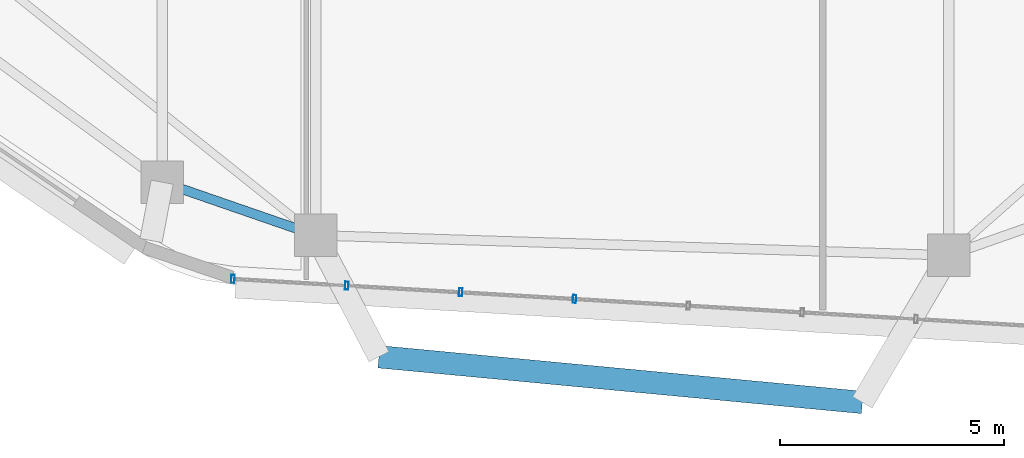
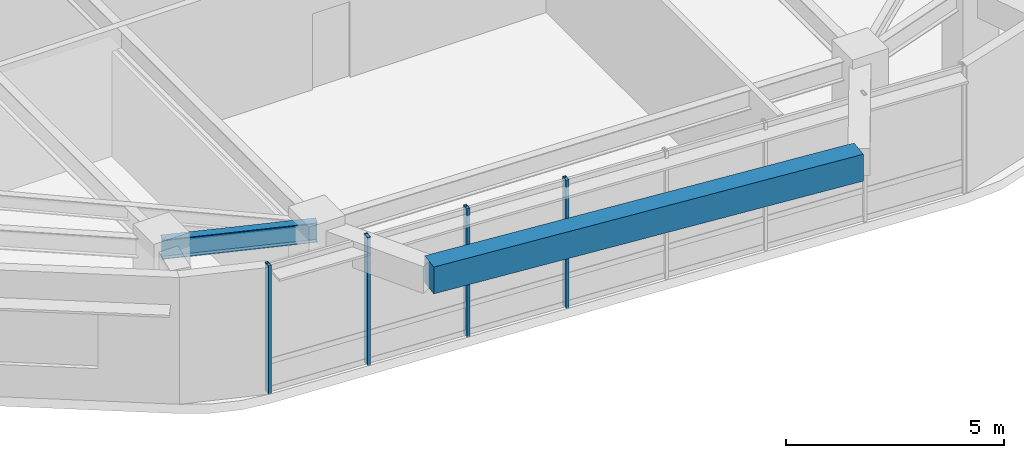
# One storey, part 2 of 14: 4 members, 2 beams, 1 element without a shape of its own.
"""IFC4 building model written with IfcOpenShell, lengths in metres."""

from ifc_helpers import new_model, si_unit, direction, frame, origin, origin_2d, place, context, subcontext, project, spatial, rectangle, hollow_rectangle, i_section, extrude, material, material_profile, profile_set, type_object, element, aggregate, save


model = new_model("IFC4")

# Units and contexts
model_context = context("Model", 3, precision=1e-05, world=origin(), true_north=direction((0.0, 1.0)))
body_context = subcontext(model_context, "Body", "Model", "MODEL_VIEW")
ifc_project = project(units=[si_unit("LENGTHUNIT", "METRE"), si_unit("AREAUNIT", "SQUARE_METRE"), si_unit("VOLUMEUNIT", "CUBIC_METRE"), si_unit("PLANEANGLEUNIT", "RADIAN"), si_unit("MASSUNIT", "GRAM", prefix="KILO")], contexts=[model_context])

# Site, building, storey
site_placement = place(None, origin())
site = spatial("IfcSite", under=ifc_project, at=site_placement, CompositionType="ELEMENT")
building_placement = place(site_placement, origin())
building = spatial("IfcBuilding", under=site, at=building_placement, Name="Zulverin Broadcast Headquarters", CompositionType="ELEMENT")
storey_placement = place(building_placement, frame((0.0, 0.0, 208.60009765625)))
storey = spatial("IfcBuildingStorey", under=building, at=storey_placement, Name="L53", CompositionType="ELEMENT", Elevation=208.60009765625)

# Beams
ifc_material_1 = material(Name="Concrete C40/50", Category="concrete")
ifc_material_profile_1 = material_profile(ifc_material_1, rectangle(XDim=0.5, YDim=0.75, at=origin_2d()), Name="Concrete C40/50", Category="concrete")
ifc_profile_set_1 = profile_set([ifc_material_profile_1], Name="Concrete C40/50")
beam_type_1 = type_object("IfcBeamType", Name="BM-RC-500x750", PredefinedType="BEAM", material=ifc_profile_set_1)
beam_1_placement = place(storey_placement, frame((32.21728515625, 1.4208984375, 3.164794921875), z_axis=(0.995570138294, -0.094021804589, 0.0), x_axis=(0.094021804589, 0.995570138294, 0.0)))
element("IfcBeam", 1, at=beam_1_placement, inside=storey, type_object=beam_type_1, Name="L54 Balcony Outer Edge Trimmer Beam BAL_S", PredefinedType="BEAM", context=body_context, shape_type="SweptSolid", body=[
    extrude(rectangle(XDim=0.5, YDim=0.75, at=origin_2d()), origin(), (0.0, 0.0, 1.0), 10.81494140625),
])
ifc_material_2 = material(Name="Structural steel S355JR", Category="steel")
ifc_material_profile_2 = material_profile(ifc_material_2, i_section(OverallWidth=0.2119140625, OverallDepth=0.54443359375, WebThickness=0.0126953125, FlangeThickness=0.021240234375, at=origin_2d()), Name="Structural steel S355JR", Category="steel")
ifc_profile_set_2 = profile_set([ifc_material_profile_2], Name="Structural steel S355JR")
beam_type_2 = type_object("IfcBeamType", Name="BM-UB-533", PredefinedType="SPANDREL", material=ifc_profile_set_2)
beam_2_placement = place(storey_placement, frame((27.38720703125, 5.309814453125, 3.267578125), z_axis=(0.945152732867, -0.326628705956, 0.0), x_axis=(0.326628705956, 0.945152732867, 0.0)))
element("IfcBeam", 2, at=beam_2_placement, inside=storey, type_object=beam_type_2, Name="L53 Perimeter Spandrel Beam SP-16", PredefinedType="SPANDREL", context=body_context, shape_type="SweptSolid", body=[
    extrude(i_section(OverallWidth=0.2119140625, OverallDepth=0.54443359375, WebThickness=0.0126953125, FlangeThickness=0.021240234375, at=origin_2d()), origin(), (0.0, 0.0, 1.0), 3.619873046875),
])

# Curtain wall, members
ifc_material_3 = material(Name="Waist wind-pressure unitised curtain wall", Category="aluminium")
curtain_wall_type = type_object("IfcCurtainWallType", Name="CW-TWR-WST", PredefinedType="USERDEFINED", material=ifc_material_3)
curtain_wall_placement = place(storey_placement, origin())
curtain_wall = element("IfcCurtainWall", 3, at=curtain_wall_placement, inside=storey, type_object=curtain_wall_type, Name="L53 Unitised Curtain Wall CW-L53-E1", ObjectType="UNITISED CURTAIN WALL", PredefinedType="USERDEFINED")
ifc_material_4 = material(Name="Anodized pale-metal aluminium alloy 6063-T6", Category="aluminium")
ifc_material_profile_3 = material_profile(ifc_material_4, hollow_rectangle(XDim=0.074951171875, YDim=0.179931640625, WallThickness=0.0048828125, at=origin_2d()), Name="Anodized pale-metal aluminium alloy 6063-T6", Category="aluminium")
ifc_profile_set_3 = profile_set([ifc_material_profile_3], Name="Anodized pale-metal aluminium alloy 6063-T6")
member_type = type_object("IfcMemberType", Name="CW-MUL-180", PredefinedType="MULLION", material=ifc_profile_set_3)
member_1_placement = place(storey_placement, frame((28.96435546875, 3.155029296875, -0.030029296875), z_axis=(0.0, 0.0, 1.0), x_axis=(0.998274435348, -0.058720965002, 0.0)))
member_1 = element("IfcMember", 4, at=member_1_placement, type_object=member_type, Name="CW-L53-E1 Mullion 00", PredefinedType="MULLION", context=body_context, shape_type="SweptSolid", body=[
    extrude(hollow_rectangle(XDim=0.074951171875, YDim=0.179931640625, WallThickness=0.0048828125, at=origin_2d()), origin(), (0.0, 0.0, 1.0), 3.599853515625),
])
member_2_placement = place(storey_placement, frame((31.50048828125, 3.005859375, -0.030029296875), z_axis=(0.0, 0.0, 1.0), x_axis=(0.998274435348, -0.058720965002, 0.0)))
member_2 = element("IfcMember", 5, at=member_2_placement, type_object=member_type, Name="CW-L53-E1 Mullion 01", PredefinedType="MULLION", context=body_context, shape_type="SweptSolid", body=[
    extrude(hollow_rectangle(XDim=0.074951171875, YDim=0.179931640625, WallThickness=0.0048828125, at=origin_2d()), origin(), (0.0, 0.0, 1.0), 3.599853515625),
])
member_3_placement = place(storey_placement, frame((34.036376953125, 2.856689453125, -0.030029296875), z_axis=(0.0, 0.0, 1.0), x_axis=(0.998274435348, -0.058720965002, 0.0)))
member_3 = element("IfcMember", 6, at=member_3_placement, type_object=member_type, Name="CW-L53-E1 Mullion 02", PredefinedType="MULLION", context=body_context, shape_type="SweptSolid", body=[
    extrude(hollow_rectangle(XDim=0.074951171875, YDim=0.179931640625, WallThickness=0.0048828125, at=origin_2d()), origin(), (0.0, 0.0, 1.0), 3.599853515625),
])
member_4_placement = place(storey_placement, frame((36.572265625, 2.70751953125, -0.030029296875), z_axis=(0.0, 0.0, 1.0), x_axis=(0.998274435348, -0.058720965002, 0.0)))
member_4 = element("IfcMember", 7, at=member_4_placement, type_object=member_type, Name="CW-L53-E1 Mullion 03", PredefinedType="MULLION", context=body_context, shape_type="SweptSolid", body=[
    extrude(hollow_rectangle(XDim=0.074951171875, YDim=0.179931640625, WallThickness=0.0048828125, at=origin_2d()), origin(), (0.0, 0.0, 1.0), 3.599853515625),
])
aggregate(curtain_wall, [member_1, member_2, member_3, member_4])

save(model, "model.ifc")
